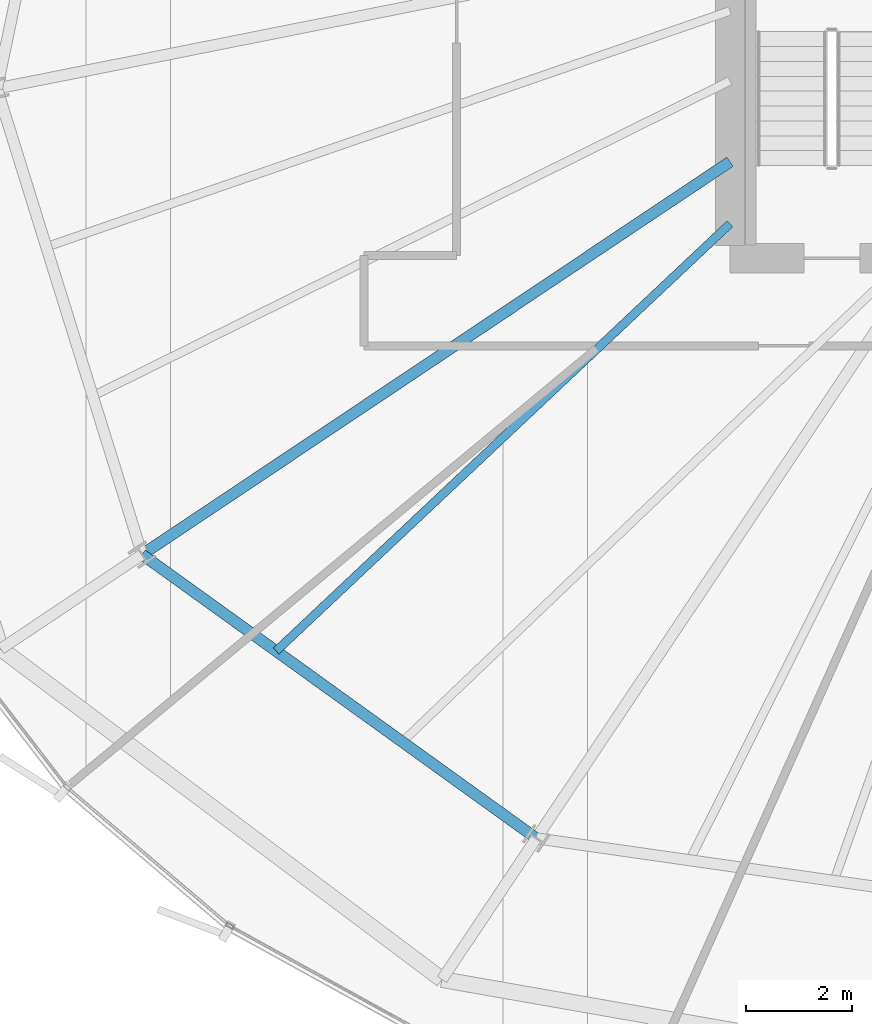
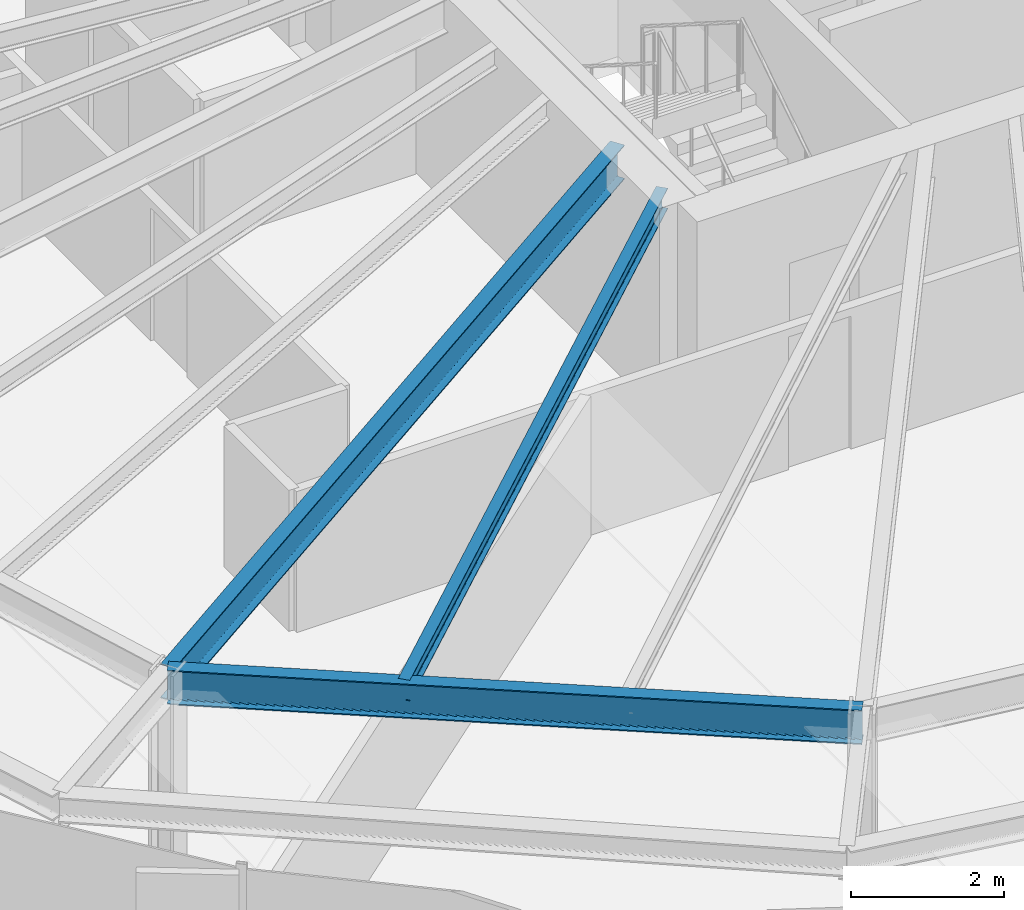
# One storey, part 4 of 32: 3 beams.
"""IFC4 building model written with IfcOpenShell, lengths in metres."""

import ifcopenshell
import ifcopenshell.guid

model = None  # the IFC model being written
_history = None  # IfcOwnerHistory: only IFC2X3 demands one
_inside = {}  # id of a spatial element -> (the spatial element, [elements in it])
_under = {}  # id of a project, library or spatial element -> (it, [spatial elements below it])
_declared = {}  # id of a project -> (the project, [libraries it declares])
_typed = {}  # id of a type object -> (the type object, [elements of that type])
_made_of = {}  # id of a material, layer set ... -> (it, [elements and type objects made of it])


def new_model(schema):
    """Start an empty IFC model of exactly this schema.

    Asked for "IFC4X3", IfcOpenShell would pick the latest addendum, in which some entities
    have other attributes; the version numbers below select the first issue.
    IFC2X3 requires an IfcOwnerHistory on every rooted entity: one is made here for all.
    """
    global model, _history
    if schema == "IFC4X3":
        model = ifcopenshell.file(schema_version=(4, 3, 0, 0))
    else:
        model = ifcopenshell.file(schema=schema)
    _inside.clear()
    _under.clear()
    _declared.clear()
    _typed.clear()
    _made_of.clear()
    _history = None
    if model.schema == "IFC2X3":
        org = make("IfcOrganization", Name="unknown")
        user = make(
            "IfcPersonAndOrganization",
            ThePerson=make("IfcPerson", FamilyName="unknown"),
            TheOrganization=org,
        )
        app = make(
            "IfcApplication",
            ApplicationDeveloper=org,
            Version="unknown",
            ApplicationFullName="unknown",
            ApplicationIdentifier="unknown",
        )
        _history = make(
            "IfcOwnerHistory",
            OwningUser=user,
            OwningApplication=app,
            ChangeAction="ADDED",
            CreationDate=0,
        )
    return model


def make(cls, **values):
    """One entity of the class cls with the attributes given. An attribute that is None is left unset."""
    return model.create_entity(
        cls, **{name: value for name, value in values.items() if value is not None}
    )


def rooted(cls, **values):
    """An entity with a GlobalId (a new one), such as an element, a storey or a relation."""
    return make(cls, GlobalId=ifcopenshell.guid.new(), OwnerHistory=_history, **values)


def si_unit(unit_type, name, prefix=None):
    """IfcSIUnit, for example si_unit("LENGTHUNIT", "METRE", prefix="MILLI")."""
    return make("IfcSIUnit", UnitType=unit_type, Prefix=prefix, Name=name)


def assignment(units):
    """IfcUnitAssignment: the units of a project."""
    return None if units is None else make("IfcUnitAssignment", Units=units)


def point(xyz):
    """IfcCartesianPoint."""
    return None if xyz is None else make("IfcCartesianPoint", Coordinates=xyz)


def direction(xyz):
    """IfcDirection."""
    return None if xyz is None else make("IfcDirection", DirectionRatios=xyz)


def frame(location, z_axis=None, x_axis=None):
    """IfcAxis2Placement3D, a coordinate frame: its origin and axes. An axis left out is left unset."""
    return make(
        "IfcAxis2Placement3D",
        Location=point(location),
        Axis=direction(z_axis),
        RefDirection=direction(x_axis),
    )


def frame_2d(location, x_axis=None):
    """IfcAxis2Placement2D, a coordinate frame in the plane: its origin and x axis."""
    return make(
        "IfcAxis2Placement2D", Location=point(location), RefDirection=direction(x_axis)
    )


def origin():
    """The frame at (0, 0, 0) with its axes left unset."""
    return frame((0.0, 0.0, 0.0))


def origin_2d():
    """The frame at (0, 0) in the plane with its x axis left unset."""
    return frame_2d((0.0, 0.0))


def place(relative_to, where):
    """IfcLocalPlacement: puts the frame where relative to a parent placement (None: the world)."""
    return make(
        "IfcLocalPlacement", PlacementRelTo=relative_to, RelativePlacement=where
    )


def context(
    kind, dimensions, precision=None, world=None, true_north=None, identifier=None
):
    """IfcGeometricRepresentationContext, for example the 3D "Model" context."""
    return make(
        "IfcGeometricRepresentationContext",
        ContextIdentifier=identifier,
        ContextType=kind,
        CoordinateSpaceDimension=dimensions,
        Precision=precision,
        WorldCoordinateSystem=world,
        TrueNorth=true_north,
    )


def subcontext(parent, identifier, kind, view, scale=None):
    """IfcGeometricRepresentationSubContext, for example "Body" below "Model"."""
    return make(
        "IfcGeometricRepresentationSubContext",
        ContextIdentifier=identifier,
        ContextType=kind,
        ParentContext=parent,
        TargetScale=scale,
        TargetView=view,
    )


def project(units=None, contexts=None):
    """IfcProject with its units and contexts."""
    return rooted(
        "IfcProject",
        Name="project",
        RepresentationContexts=contexts,
        UnitsInContext=assignment(units),
    )


def spatial(cls, under=None, at=None, **own):
    """A site, building, storey or space (cls), placed at a placement, below another one or the project."""
    s = rooted(cls, ObjectPlacement=at, **own)
    if under is not None:
        _under.setdefault(under.id(), (under, []))[1].append(s)
    return s


def profile(cls, at=None, kind="AREA", **sizes):
    """A parametric profile (cls). Its sizes go by their IFC names, for example OverallWidth=200.0."""
    return make(cls, ProfileType=kind, Position=at, **sizes)


def i_section(**sizes):
    """IfcIShapeProfileDef."""
    return profile("IfcIShapeProfileDef", **sizes)


def extrude(swept, where, along, depth):
    """IfcExtrudedAreaSolid: the profile swept, set in the frame where, extruded along a direction by depth."""
    return make(
        "IfcExtrudedAreaSolid",
        SweptArea=swept,
        Position=where,
        ExtrudedDirection=direction(along),
        Depth=depth,
    )


def shape(context_of_items, identifier, shape_type, items):
    """IfcShapeRepresentation: the items that make up one representation, for example the "Body"."""
    return make(
        "IfcShapeRepresentation",
        ContextOfItems=context_of_items,
        RepresentationIdentifier=identifier,
        RepresentationType=shape_type,
        Items=items,
    )


def source(mapping_origin, context_of_items, identifier, shape_type, items):
    """IfcRepresentationMap: a shape defined once, which mapped items show again and again."""
    return make(
        "IfcRepresentationMap",
        MappingOrigin=mapping_origin,
        MappedRepresentation=shape(context_of_items, identifier, shape_type, items),
    )


def transform(
    local_origin,
    x_axis=None,
    y_axis=None,
    z_axis=None,
    scale=None,
    scale2=None,
    scale3=None,
    uniform=True,
):
    """IfcCartesianTransformationOperator3D, or its non-uniform kind. x_axis, y_axis, z_axis: its Axis1, 2, 3."""
    if uniform:
        return make(
            "IfcCartesianTransformationOperator3D",
            Axis1=direction(x_axis),
            Axis2=direction(y_axis),
            LocalOrigin=point(local_origin),
            Scale=scale,
            Axis3=direction(z_axis),
        )
    return make(
        "IfcCartesianTransformationOperator3DnonUniform",
        Axis1=direction(x_axis),
        Axis2=direction(y_axis),
        LocalOrigin=point(local_origin),
        Scale=scale,
        Axis3=direction(z_axis),
        Scale2=scale2,
        Scale3=scale3,
    )


def mapped(mapping_source, mapping_target):
    """IfcMappedItem: shows the shape of a source again, moved by a transform."""
    return make(
        "IfcMappedItem", MappingSource=mapping_source, MappingTarget=mapping_target
    )


def material(Name=None, Category=None):
    """IfcMaterial."""
    return make("IfcMaterial", Name=Name, Category=Category)


def material_profile(
    of_material, cross_section, Name=None, Category=None, Priority=None
):
    """IfcMaterialProfile: a cross section and its material."""
    return make(
        "IfcMaterialProfile",
        Name=Name,
        Material=of_material,
        Profile=cross_section,
        Priority=Priority,
        Category=Category,
    )


def profile_set(profiles, Name=None, composite=None):
    """IfcMaterialProfileSet."""
    return make(
        "IfcMaterialProfileSet",
        Name=Name,
        MaterialProfiles=profiles,
        CompositeProfile=composite,
    )


def made_of(thing, what):
    """Note that an element or type object is made of a material, layer set ...; save() writes the relation."""
    if what is not None:
        _made_of.setdefault(what.id(), (what, []))[1].append(thing)
    return thing


def type_object(cls, material=None, **own):
    """A type object (cls), such as IfcWallType, which elements share."""
    return made_of(rooted(cls, **own), material)


def element(
    cls,
    number,
    at=None,
    inside=None,
    cuts=None,
    type_object=None,
    material=None,
    context=None,
    identifier="Body",
    shape_type=None,
    held_by="IfcProductDefinitionShape",
    body=None,
    shapes=None,
    **own,
):
    """One element of the class cls, such as IfcWall. Its Tag is "e" and its number.

    at: its placement. inside: the storey or other place that contains it. cuts: it is an
    opening in that element (IfcRelVoidsElement). A single representation is given by context,
    identifier, shape_type and body (its items); several are given by shapes. held_by: the class
    of the entity that holds the representations. save() writes the other relations.
    """
    e = rooted(cls, Tag="e%d" % number, ObjectPlacement=at, **own)
    if body is not None:
        shapes = [shape(context, identifier, shape_type, body)]
    if shapes is not None:
        e.Representation = make(held_by, Representations=shapes)
    if inside is not None:
        _inside.setdefault(inside.id(), (inside, []))[1].append(e)
    if cuts is not None:
        rooted(
            "IfcRelVoidsElement", RelatingBuildingElement=cuts, RelatedOpeningElement=e
        )
    if type_object is not None:
        _typed.setdefault(type_object.id(), (type_object, []))[1].append(e)
    return made_of(e, material)


def aggregate(whole, parts):
    """IfcRelAggregates: a whole, such as a stair, and the parts it consists of."""
    return rooted("IfcRelAggregates", RelatingObject=whole, RelatedObjects=parts)


def save(model, path):
    """Write the relations noted so far, then the file.

    IfcRelAggregates (storeys below a building ...), IfcRelContainedInSpatialStructure (elements
    in a storey), IfcRelDefinesByType, IfcRelAssociatesMaterial and IfcRelDeclares: one each for
    every whole, place, type object, material and project.
    """
    for whole, parts in _under.values():
        aggregate(whole, parts)
    for where, things in _inside.values():
        rooted(
            "IfcRelContainedInSpatialStructure",
            RelatedElements=things,
            RelatingStructure=where,
        )
    for kind, things in _typed.values():
        rooted("IfcRelDefinesByType", RelatedObjects=things, RelatingType=kind)
    for what, things in _made_of.values():
        rooted("IfcRelAssociatesMaterial", RelatedObjects=things, RelatingMaterial=what)
    for by, libraries in _declared.values():
        rooted("IfcRelDeclares", RelatingContext=by, RelatedDefinitions=libraries)
    model.write(path)


model = new_model("IFC4")

# Units and contexts
model_context = context("Model", 3, precision=1e-05, world=origin(), true_north=direction((0.0, 1.0)))
body_context = subcontext(model_context, "Body", "Model", "MODEL_VIEW")
ifc_project = project(units=[si_unit("LENGTHUNIT", "METRE"), si_unit("AREAUNIT", "SQUARE_METRE"), si_unit("VOLUMEUNIT", "CUBIC_METRE"), si_unit("PLANEANGLEUNIT", "RADIAN"), si_unit("MASSUNIT", "GRAM", prefix="KILO"), si_unit("THERMODYNAMICTEMPERATUREUNIT", "KELVIN")], contexts=[model_context])

# Site, building, storey
site_placement = place(None, origin())
site = spatial("IfcSite", under=ifc_project, at=site_placement, CompositionType="ELEMENT")
building_placement = place(site_placement, origin())
building = spatial("IfcBuilding", under=site, at=building_placement, Name="Kethvar Cultural Tower", CompositionType="ELEMENT")
storey_placement = place(building_placement, frame((0.0, 0.0, 160.75)))
storey = spatial("IfcBuildingStorey", under=building, at=storey_placement, Name="L41", CompositionType="ELEMENT", Elevation=160.75)

# Beams
ifc_material = material(Name="Steel S355J2", Category="steel")
ifc_material_profile_1 = material_profile(ifc_material, i_section(OverallWidth=0.2099609375, OverallDepth=0.550048828125, WebThickness=0.010986328125, FlangeThickness=0.01708984375, FilletRadius=0.02392578125, at=origin_2d()), Name="Steel S355J2 — IPE550")
ifc_profile_set_1 = profile_set([ifc_material_profile_1], Name="Steel S355J2 — IPE550")
beam_type_1 = type_object("IfcBeamType", Name="BM-IPE550", PredefinedType="BEAM", material=ifc_profile_set_1)
shared_shape_1 = source(origin(), body_context, "Body", "SweptSolid", [
    extrude(i_section(OverallWidth=0.2099609375, OverallDepth=0.550048828125, WebThickness=0.010986328125, FlangeThickness=0.01708984375, FilletRadius=0.02392578125, at=origin_2d()), origin(), (0.0, 0.0, 1.0), 13.324951171875),
])
beam_1_placement = place(storey_placement, frame((38.0, 21.919921875, 3.02294921875), z_axis=(-0.831474815475, -0.555562445843, 0.0), x_axis=(0.555562445843, -0.831474815475, 0.0)))
element("IfcBeam", 1, at=beam_1_placement, inside=storey, type_object=beam_type_1, Name="L41 Primary Radial Beam RB-10", PredefinedType="BEAM", context=body_context, shape_type="MappedRepresentation", body=[
    mapped(shared_shape_1, transform((0.0, 0.0, 0.0), scale=1.0)),
])
shared_shape_2 = source(origin(), body_context, "Body", "SweptSolid", [
    extrude(i_section(OverallWidth=0.2099609375, OverallDepth=0.550048828125, WebThickness=0.010986328125, FlangeThickness=0.01708984375, FilletRadius=0.02392578125, at=origin_2d()), origin(), (0.0, 0.0, 1.0), 9.155029296875),
])
beam_2_placement = place(storey_placement, frame((26.920654296875, 14.51708984375, 3.02294921875), z_axis=(0.811590987974, -0.584226042076, 0.0), x_axis=(0.584226042076, 0.811590987974, 0.0)))
element("IfcBeam", 2, at=beam_2_placement, inside=storey, type_object=beam_type_1, Name="L41 Column Ring Tie Beam CR-10", PredefinedType="BEAM", context=body_context, shape_type="MappedRepresentation", body=[
    mapped(shared_shape_2, transform((0.0, 0.0, 0.0), scale=1.0)),
])
ifc_material_profile_2 = material_profile(ifc_material, i_section(OverallWidth=0.159912109375, OverallDepth=0.330078125, WebThickness=0.007568359375, FlangeThickness=0.011474609375, FilletRadius=0.01806640625, at=origin_2d()), Name="Steel S355J2 — IPE330")
ifc_profile_set_2 = profile_set([ifc_material_profile_2], Name="Steel S355J2 — IPE330")
beam_type_2 = type_object("IfcBeamType", Name="BM-J330", PredefinedType="JOIST", material=ifc_profile_set_2)
shared_shape_3 = source(origin(), body_context, "Body", "SweptSolid", [
    extrude(i_section(OverallWidth=0.159912109375, OverallDepth=0.330078125, WebThickness=0.007568359375, FlangeThickness=0.011474609375, FilletRadius=0.01806640625, at=origin_2d()), origin(), (0.0, 0.0, 1.0), 11.74658203125),
])
beam_3_placement = place(storey_placement, frame((38.0, 20.75, 3.133056640625), z_axis=(-0.728129818661, -0.685439251266, 0.0), x_axis=(0.685439251266, -0.728129818661, 0.0)))
element("IfcBeam", 3, at=beam_3_placement, inside=storey, type_object=beam_type_2, Name="L41 Composite Floor Joist J-10A", PredefinedType="JOIST", context=body_context, shape_type="MappedRepresentation", body=[
    mapped(shared_shape_3, transform((0.0, 0.0, 0.0), scale=1.0)),
])

save(model, "model.ifc")
